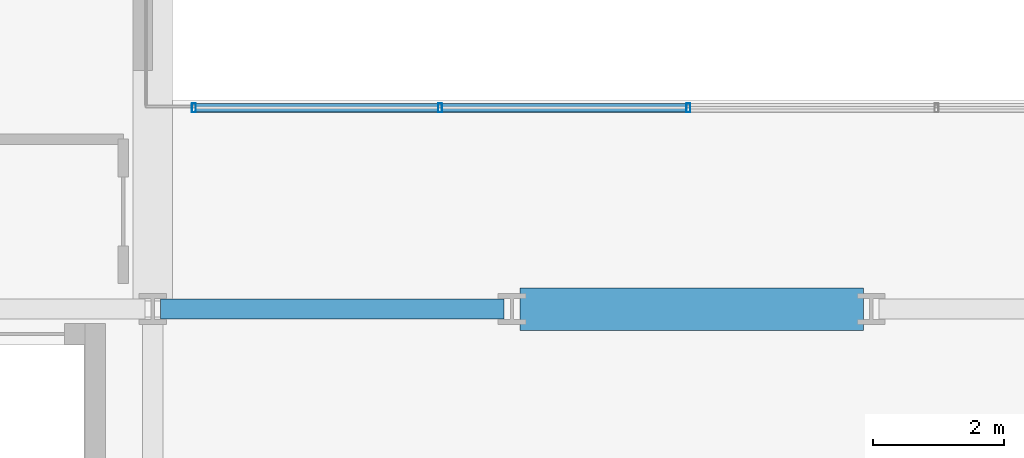
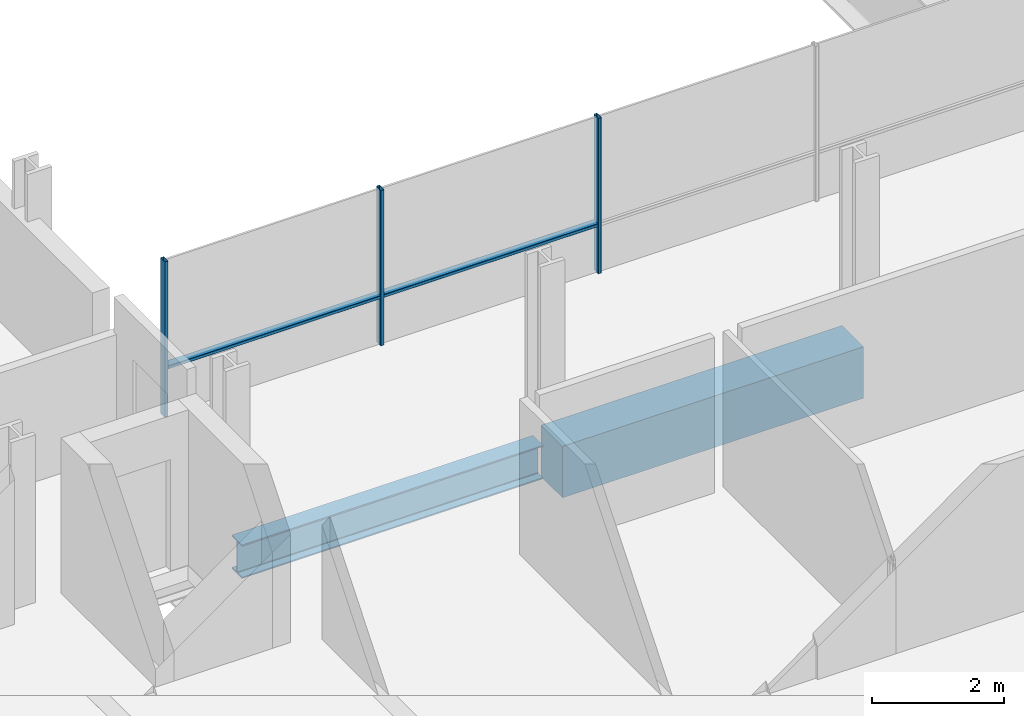
# One storey, part 4 of 38: 5 members, 2 beams, 1 element without a shape of its own.
"""IFC4 building model written with IfcOpenShell, lengths in metres."""

from ifc_helpers import new_model, si_unit, direction, frame, origin, origin_2d, place, context, subcontext, project, spatial, rectangle, hollow_rectangle, i_section, extrude, material, layer, layer_set, material_profile, profile_set, type_object, element, aggregate, save


model = new_model("IFC4")

# Units and contexts
model_context = context("Model", 3, precision=1e-05, world=origin(), true_north=direction((0.0, 1.0)))
body_context = subcontext(model_context, "Body", "Model", "MODEL_VIEW")
ifc_project = project(units=[si_unit("LENGTHUNIT", "METRE"), si_unit("AREAUNIT", "SQUARE_METRE"), si_unit("VOLUMEUNIT", "CUBIC_METRE"), si_unit("PLANEANGLEUNIT", "RADIAN"), si_unit("MASSUNIT", "GRAM", prefix="KILO")], contexts=[model_context])

# Site, building, storey
site_placement = place(None, origin())
site = spatial("IfcSite", under=ifc_project, at=site_placement, CompositionType="ELEMENT")
building_placement = place(site_placement, origin())
building = spatial("IfcBuilding", under=site, at=building_placement, Name="Brevholm Reach", CompositionType="ELEMENT")
storey_placement = place(building_placement, frame((0.0, 0.0, 28.0)))
storey = spatial("IfcBuildingStorey", under=building, at=storey_placement, Name="L06", CompositionType="ELEMENT", Elevation=28.0)

# Beams
ifc_material_1 = material(Name="Concrete C60/75", Category="concrete")
ifc_material_profile_1 = material_profile(ifc_material_1, rectangle(XDim=0.64990234375, YDim=0.949951171875, at=origin_2d()), Name="RC 650x950")
ifc_profile_set_1 = profile_set([ifc_material_profile_1], Name="Concrete C60/75")
beam_type_1 = type_object("IfcBeamType", Name="BM-CB650", PredefinedType="LINTEL", material=ifc_profile_set_1)
beam_1_placement = place(storey_placement, frame((27.3701171875, 10.0, -0.7451171875), z_axis=(1.0, 0.0, 0.0), x_axis=(0.0, 1.0, 0.0)))
element("IfcBeam", 1, at=beam_1_placement, inside=storey, type_object=beam_type_1, Name="L06 CB-01 Framing Beam", PredefinedType="LINTEL", context=body_context, shape_type="SweptSolid", body=[
    extrude(rectangle(XDim=0.64990234375, YDim=0.949951171875, at=origin_2d()), origin(), (0.0, 0.0, 1.0), 5.259765625),
])
ifc_material_2 = material(Name="Structural Steel S355J2", Category="steel")
ifc_material_profile_2 = material_profile(ifc_material_2, i_section(OverallWidth=0.30712890625, OverallDepth=0.6201171875, WebThickness=0.01416015625, FlangeThickness=0.023681640625, FilletRadius=0.0166015625, at=origin_2d()), Name="UKB 610x305x179")
ifc_profile_set_2 = profile_set([ifc_material_profile_2], Name="Structural Steel S355J2")
beam_type_2 = type_object("IfcBeamType", Name="BM-UKB610H", PredefinedType="USERDEFINED", material=ifc_profile_set_2)
beam_2_placement = place(storey_placement, frame((21.8701171875, 10.0, -0.580078125), z_axis=(1.0, 0.0, 0.0), x_axis=(0.0, 1.0, 0.0)))
element("IfcBeam", 2, at=beam_2_placement, inside=storey, type_object=beam_type_2, Name="L06 G-06 Framing Beam", ObjectType="GIRDER", PredefinedType="USERDEFINED", context=body_context, shape_type="SweptSolid", body=[
    extrude(i_section(OverallWidth=0.30712890625, OverallDepth=0.6201171875, WebThickness=0.01416015625, FlangeThickness=0.023681640625, FilletRadius=0.0166015625, at=origin_2d()), origin(), (0.0, 0.0, 1.0), 5.259765625),
])

# Curtain wall, members
ifc_material_3 = material(Name="Dark Anodised Aluminium 6063-T6 and Solar-Control Glass", Category="aluminium")
ifc_layer = layer(ifc_material_3, 0.139892578125)
ifc_layer_set = layer_set([ifc_layer], Name="Dark Anodised Aluminium 6063-T6 and Solar-Control Glass")
curtain_wall_type = type_object("IfcCurtainWallType", Name="CW-02", PredefinedType="NOTDEFINED", material=ifc_layer_set)
curtain_wall_placement = place(storey_placement, origin())
curtain_wall = element("IfcCurtainWall", 3, at=curtain_wall_placement, inside=storey, type_object=curtain_wall_type, Name="L06 Curtain Wall CW-02", PredefinedType="NOTDEFINED")
ifc_material_4 = material(Name="Dark Anodised Aluminium 6063-T6", Category="aluminium")
ifc_material_profile_3 = material_profile(ifc_material_4, hollow_rectangle(XDim=0.06005859375, YDim=0.139892578125, WallThickness=0.0048828125, InnerFilletRadius=0.0048828125, OuterFilletRadius=0.010009765625, at=origin_2d()), Name="RHS 140x60x5")
ifc_profile_set_3 = profile_set([ifc_material_profile_3], Name="Dark Anodised Aluminium 6063-T6")
member_type_1 = type_object("IfcMemberType", Name="CWM-140", PredefinedType="MULLION", material=ifc_profile_set_3)
member_1_placement = place(storey_placement, frame((22.3798828125, 13.080078125, 0.0), z_axis=(0.0, 0.0, 1.0), x_axis=(1.0, 0.0, 0.0)))
member_1 = element("IfcMember", 4, at=member_1_placement, type_object=member_type_1, Name="CM-140 Mullion 1", PredefinedType="MULLION", context=body_context, shape_type="SweptSolid", body=[
    extrude(hollow_rectangle(XDim=0.06005859375, YDim=0.139892578125, WallThickness=0.0048828125, InnerFilletRadius=0.0048828125, OuterFilletRadius=0.010009765625, at=origin_2d()), origin(), (0.0, 0.0, 1.0), 2.8701171875),
])
member_2_placement = place(storey_placement, frame((26.14990234375, 13.080078125, 0.0), z_axis=(0.0, 0.0, 1.0), x_axis=(1.0, 0.0, 0.0)))
member_2 = element("IfcMember", 5, at=member_2_placement, type_object=member_type_1, Name="CM-140 Mullion 2", PredefinedType="MULLION", context=body_context, shape_type="SweptSolid", body=[
    extrude(hollow_rectangle(XDim=0.06005859375, YDim=0.139892578125, WallThickness=0.0048828125, InnerFilletRadius=0.0048828125, OuterFilletRadius=0.010009765625, at=origin_2d()), origin(), (0.0, 0.0, 1.0), 2.8701171875),
])
member_3_placement = place(storey_placement, frame((29.949951171875, 13.080078125, 0.0), z_axis=(0.0, 0.0, 1.0), x_axis=(1.0, 0.0, 0.0)))
member_3 = element("IfcMember", 6, at=member_3_placement, type_object=member_type_1, Name="CM-140 Mullion 3", PredefinedType="MULLION", context=body_context, shape_type="SweptSolid", body=[
    extrude(hollow_rectangle(XDim=0.06005859375, YDim=0.139892578125, WallThickness=0.0048828125, InnerFilletRadius=0.0048828125, OuterFilletRadius=0.010009765625, at=origin_2d()), origin(), (0.0, 0.0, 1.0), 2.8701171875),
])
ifc_material_5 = material(Name="Dark Anodised Aluminium 6063-T6", Category="aluminium")
ifc_material_profile_4 = material_profile(ifc_material_5, hollow_rectangle(XDim=0.06005859375, YDim=0.139892578125, WallThickness=0.0048828125, InnerFilletRadius=0.0048828125, OuterFilletRadius=0.010009765625, at=origin_2d()), Name="RHS 140x60x5")
ifc_profile_set_4 = profile_set([ifc_material_profile_4], Name="Dark Anodised Aluminium 6063-T6")
member_type_2 = type_object("IfcMemberType", Name="CWT-140", PredefinedType="NOTDEFINED", material=ifc_profile_set_4)
member_4_placement = place(storey_placement, frame((22.409912109375, 13.080078125, 0.89990234375), z_axis=(1.0, 0.0, 0.0), x_axis=(0.0, 0.0, 1.0)))
member_4 = element("IfcMember", 7, at=member_4_placement, type_object=member_type_2, Name="CT-140 Transom 1.1", ObjectType="TRANSOM", PredefinedType="USERDEFINED", context=body_context, shape_type="SweptSolid", body=[
    extrude(hollow_rectangle(XDim=0.06005859375, YDim=0.139892578125, WallThickness=0.0048828125, InnerFilletRadius=0.0048828125, OuterFilletRadius=0.010009765625, at=origin_2d()), origin(), (0.0, 0.0, 1.0), 3.710205078125),
])
member_5_placement = place(storey_placement, frame((26.179931640625, 13.080078125, 0.89990234375), z_axis=(1.0, 0.0, 0.0), x_axis=(0.0, 0.0, 1.0)))
member_5 = element("IfcMember", 8, at=member_5_placement, type_object=member_type_2, Name="CT-140 Transom 2.1", ObjectType="TRANSOM", PredefinedType="USERDEFINED", context=body_context, shape_type="SweptSolid", body=[
    extrude(hollow_rectangle(XDim=0.06005859375, YDim=0.139892578125, WallThickness=0.0048828125, InnerFilletRadius=0.0048828125, OuterFilletRadius=0.010009765625, at=origin_2d()), origin(), (0.0, 0.0, 1.0), 3.739990234375),
])
aggregate(curtain_wall, [member_1, member_2, member_3, member_4, member_5])

save(model, "model.ifc")
